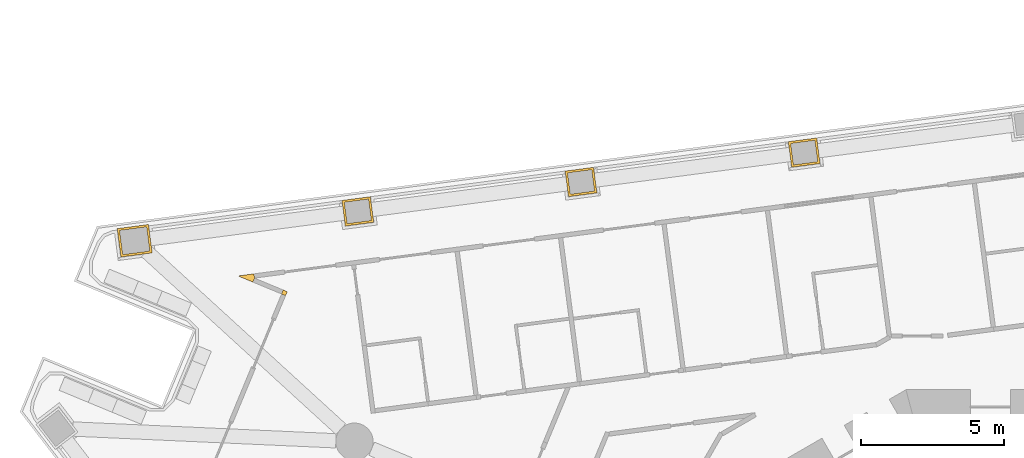
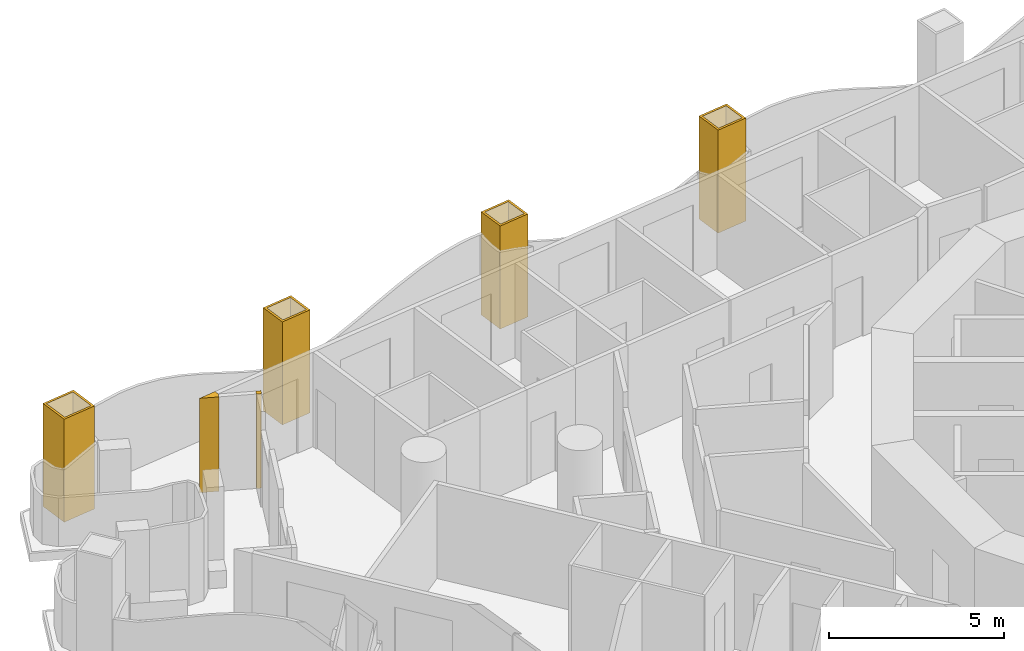
# One storey, part 16 of 19: 6 coverings.
"""IFC4 building model written with IfcOpenShell, lengths in metres."""

from ifc_helpers import new_model, si_unit, direction, frame, origin, place, context, subcontext, project, spatial, polyline, outline, extrude, material, layer, layer_set, type_object, element, save


model = new_model("IFC4")

# Units and contexts
model_context = context("Model", 3, precision=1e-05, world=origin(), true_north=direction((0.0, 1.0)))
body_context = subcontext(model_context, "Body", "Model", "MODEL_VIEW")
ifc_project = project(units=[si_unit("LENGTHUNIT", "METRE"), si_unit("AREAUNIT", "SQUARE_METRE"), si_unit("VOLUMEUNIT", "CUBIC_METRE"), si_unit("PLANEANGLEUNIT", "RADIAN"), si_unit("MASSUNIT", "GRAM", prefix="KILO")], contexts=[model_context])

# Site, building, storey
site_placement = place(None, origin())
site = spatial("IfcSite", under=ifc_project, at=site_placement, CompositionType="ELEMENT")
building_placement = place(site_placement, origin())
building = spatial("IfcBuilding", under=site, at=building_placement, Name="Trine Commons Tower", CompositionType="ELEMENT")
storey_placement = place(building_placement, frame((0.0, 0.0, 54.0)))
storey = spatial("IfcBuildingStorey", under=building, at=storey_placement, Name="L12", CompositionType="ELEMENT", Elevation=54.0)

# Coverings
ifc_material_1 = material(Name="Aluminium-framed insulated wall panel", Category="aluminium")
ifc_layer_1 = layer(ifc_material_1, 0.14990234375)
ifc_layer_set_1 = layer_set([ifc_layer_1], Name="Aluminium-framed insulated wall panel")
covering_type_1 = type_object("IfcCoveringType", Name="Glazing corner post, aluminium", PredefinedType="CLADDING", material=ifc_layer_set_1)
covering_1_placement = place(storey_placement, origin())
element("IfcCovering", 1, at=covering_1_placement, inside=storey, type_object=covering_type_1, Name="Glazing corner post 2-03", PredefinedType="CLADDING", context=body_context, shape_type="SweptSolid", body=[
    extrude(outline(polyline([(55.384521484375, 76.79833984375), (55.44189453125, 76.93701171875), (55.30322265625, 76.994384765625), (55.245849609375, 76.855712890625), (55.384521484375, 76.79833984375)])), origin(), (0.0, 0.0, 1.0), 3.300048828125),
])
covering_2_placement = place(storey_placement, origin())
element("IfcCovering", 2, at=covering_2_placement, inside=storey, type_object=covering_type_1, Name="Glazing corner post 2-04", PredefinedType="CLADDING", context=body_context, shape_type="SweptSolid", body=[
    extrude(outline(polyline([(54.242919921875, 77.271240234375), (54.30029296875, 77.409912109375), (54.280517578125, 77.55859375), (53.7255859375, 77.485595703125), (54.242919921875, 77.271240234375)])), origin(), (0.0, 0.0, 1.0), 3.300048828125),
])
ifc_material_2 = material(Name="Limestone, honed", Category="masonry")
ifc_layer_2 = layer(ifc_material_2, 0.074951171875)
ifc_layer_set_2 = layer_set([ifc_layer_2], Name="Limestone, honed")
covering_type_2 = type_object("IfcCoveringType", Name="Limestone column cladding 75", PredefinedType="CLADDING", material=ifc_layer_set_2)
covering_3_placement = place(storey_placement, origin())
element("IfcCovering", 3, at=covering_3_placement, inside=storey, type_object=covering_type_2, Name="Limestone pier cladding 2-09", PredefinedType="CLADDING", context=body_context, shape_type="SweptSolid", body=[
    extrude(outline(polyline([(50.726806640625, 78.291015625), (50.59619140625, 79.2822265625), (49.505615234375, 79.138671875), (49.635986328125, 78.147216796875), (50.726806640625, 78.291015625)]), holes=[polyline([(50.642578125, 78.35546875), (50.531494140625, 79.1982421875), (49.589599609375, 79.07421875), (49.70068359375, 78.2314453125), (50.642578125, 78.35546875)])]), origin(), (0.0, 0.0, 1.0), 3.60009765625),
])
covering_4_placement = place(storey_placement, origin())
element("IfcCovering", 4, at=covering_4_placement, inside=storey, type_object=covering_type_2, Name="Limestone pier cladding 2-10", PredefinedType="CLADDING", context=body_context, shape_type="SweptSolid", body=[
    extrude(outline(polyline([(58.4638671875, 79.360107421875), (58.34619140625, 80.252197265625), (57.354736328125, 80.121826171875), (57.472412109375, 79.2294921875), (58.4638671875, 79.360107421875)]), holes=[polyline([(58.379638671875, 79.424560546875), (58.28173828125, 80.168212890625), (57.43896484375, 80.05712890625), (57.536865234375, 79.313720703125), (58.379638671875, 79.424560546875)])]), origin(), (0.0, 0.0, 1.0), 3.60009765625),
])
covering_5_placement = place(storey_placement, origin())
element("IfcCovering", 5, at=covering_5_placement, inside=storey, type_object=covering_type_2, Name="Limestone pier cladding 2-11", PredefinedType="CLADDING", context=body_context, shape_type="SweptSolid", body=[
    extrude(outline(polyline([(66.257080078125, 80.385986328125), (66.1396484375, 81.2783203125), (65.148193359375, 81.147705078125), (65.265625, 80.255615234375), (66.257080078125, 80.385986328125)]), holes=[polyline([(66.1728515625, 80.45068359375), (66.074951171875, 81.194091796875), (65.232421875, 81.083251953125), (65.330078125, 80.339599609375), (66.1728515625, 80.45068359375)])]), origin(), (0.0, 0.0, 1.0), 3.60009765625),
])
covering_6_placement = place(storey_placement, origin())
element("IfcCovering", 6, at=covering_6_placement, inside=storey, type_object=covering_type_2, Name="Limestone pier cladding 2-12", PredefinedType="CLADDING", context=body_context, shape_type="SweptSolid", body=[
    extrude(outline(polyline([(74.05029296875, 81.412109375), (73.932861328125, 82.30419921875), (72.94140625, 82.173828125), (73.058837890625, 81.281494140625), (74.05029296875, 81.412109375)]), holes=[polyline([(73.96630859375, 81.4765625), (73.868408203125, 82.22021484375), (73.025634765625, 82.109130859375), (73.12353515625, 81.365478515625), (73.96630859375, 81.4765625)])]), origin(), (0.0, 0.0, 1.0), 3.60009765625),
])

save(model, "model.ifc")
